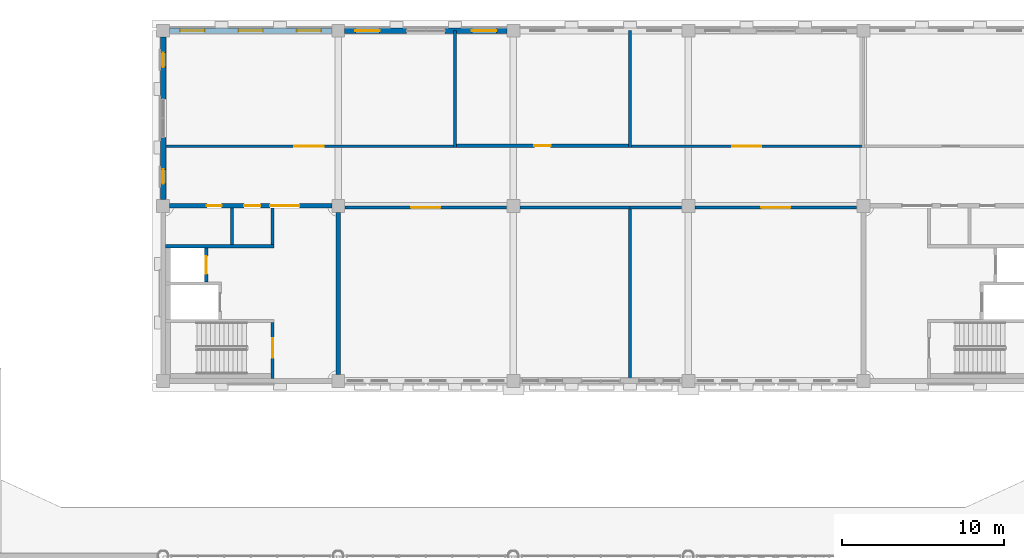
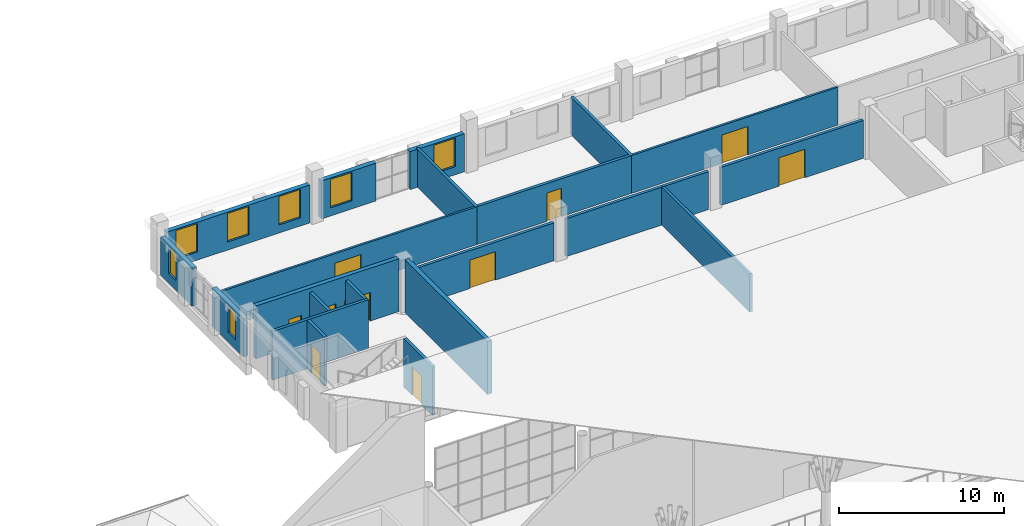
# One storey, part 45 of 56: 22 walls, 10 doors, 7 windows, 17 openings.
"""IFC4 building model written with IfcOpenShell, lengths in metres."""

from ifc_helpers import new_model, si_unit, direction, frame, frame_2d, origin, place, context, subcontext, project, spatial, rectangle, extrude, material, layer, layer_set, type_object, element, fill, save


model = new_model("IFC4")

# Units and contexts
model_context = context("Model", 3, precision=1e-05, world=origin(), true_north=direction((0.0, 1.0)))
body_context = subcontext(model_context, "Body", "Model", "MODEL_VIEW")
ifc_project = project(units=[si_unit("LENGTHUNIT", "METRE"), si_unit("AREAUNIT", "SQUARE_METRE"), si_unit("VOLUMEUNIT", "CUBIC_METRE"), si_unit("PLANEANGLEUNIT", "RADIAN"), si_unit("MASSUNIT", "GRAM", prefix="KILO")], contexts=[model_context])

# Site, building, storey
site_placement = place(None, origin())
site = spatial("IfcSite", under=ifc_project, at=site_placement, CompositionType="ELEMENT")
building_placement = place(site_placement, origin())
building = spatial("IfcBuilding", under=site, at=building_placement, Name="Magnolia Steps Interchange", CompositionType="ELEMENT")
storey_placement = place(building_placement, frame((0.0, 0.0, 8.699951171875)))
storey = spatial("IfcBuildingStorey", under=building, at=storey_placement, Name="L02", CompositionType="ELEMENT", Elevation=8.699951171875)

# Wall, opening, door
ifc_material_1 = material(Name="Concrete C35", Category="concrete")
ifc_layer_1 = layer(ifc_material_1, 0.199951171875)
ifc_layer_set_1 = layer_set([ifc_layer_1], Name="Core enclosure wall 200")
wall_type_1 = type_object("IfcWallType", Name="Core enclosure wall 200", PredefinedType="SOLIDWALL", material=ifc_layer_set_1)
wall_1_placement = place(storey_placement, frame((70.75, 96.550048828125, 0.0), z_axis=(0.0, 0.0, 1.0), x_axis=(0.0, 1.0, 0.0)))
wall_1 = element("IfcWall", 1, at=wall_1_placement, inside=storey, type_object=wall_type_1, Name="L02 OC-W enclosure wall", PredefinedType="SOLIDWALL", context=body_context, shape_type="SweptSolid", body=[
    extrude(rectangle(XDim=3.449951171875, YDim=0.199951171875, at=frame_2d((1.72509765625, 0.0))), origin(), (0.0, 0.0, 1.0), 3.60009765625),
])
opening_1_placement = place(wall_1_placement, frame((1.27490234375, 0.0, 0.0)))
opening_1 = element("IfcOpeningElement", 2, at=opening_1_placement, cuts=wall_1, Name="Opening D-OC-W-L02-1", PredefinedType="OPENING", context=body_context, shape_type="SweptSolid", body=[
    extrude(rectangle(XDim=1.199951171875, YDim=2.10009765625, at=frame_2d((0.60009765625, 1.050048828125))), frame((0.0, 0.10986328125, 0.0), z_axis=(0.0, -1.0, 0.0), x_axis=(1.0, 0.0, 0.0)), (0.0, 0.0, 1.0), 0.219970703125),
])
ifc_material_2 = material(Name="Painted steel", Category="steel")
door_type_1 = type_object("IfcDoorType", Name="Stair fire door 1200x2100", OperationType="NOTDEFINED", PredefinedType="DOOR", material=ifc_material_2)
door_1_placement = place(opening_1_placement, frame((1.199951171875, 0.0, 0.0), z_axis=(0.0, 0.0, 1.0), x_axis=(-1.0, 0.0, 0.0)))
door_1 = element("IfcDoor", 3, at=door_1_placement, inside=storey, type_object=door_type_1, Name="Stair door ST28 L02", OperationType="SINGLE_SWING_LEFT", OverallHeight=2.10009765625, OverallWidth=1.199951171875, PredefinedType="DOOR", context=body_context, shape_type="SweptSolid", body=[
    extrude(rectangle(XDim=1.199951171875, YDim=2.10009765625, at=frame_2d((0.60009765625, 1.050048828125))), frame((0.0, 0.02490234375, 0.0), z_axis=(0.0, -1.0, 0.0), x_axis=(1.0, 0.0, 0.0)), (0.0, 0.0, 1.0), 0.050048828125),
])
fill(opening_1, door_1)

wall_2_placement = place(storey_placement, frame((66.64990234375, 102.5, 0.0), z_axis=(0.0, 0.0, 1.0), x_axis=(0.0, 1.0, 0.0)))
wall_2 = element("IfcWall", 4, at=wall_2_placement, inside=storey, type_object=wall_type_1, Name="L02 OC-W enclosure wall", PredefinedType="SOLIDWALL", context=body_context, shape_type="SweptSolid", body=[
    extrude(rectangle(XDim=2.10009765625, YDim=0.199951171875, at=frame_2d((1.050048828125, 0.0))), origin(), (0.0, 0.0, 1.0), 3.60009765625),
])
opening_2_placement = place(wall_2_placement, frame((0.5, 0.0, 0.0)))
opening_2 = element("IfcOpeningElement", 5, at=opening_2_placement, cuts=wall_2, Name="Opening LD", PredefinedType="OPENING", context=body_context, shape_type="SweptSolid", body=[
    extrude(rectangle(XDim=1.10009765625, YDim=2.10009765625, at=frame_2d((0.550048828125, 1.050048828125))), frame((0.0, 0.10986328125, 0.0), z_axis=(0.0, -1.0, 0.0), x_axis=(1.0, 0.0, 0.0)), (0.0, 0.0, 1.0), 0.219970703125),
])
ifc_material_3 = material(Name="Stainless steel grade 304", Category="steel")
door_type_2 = type_object("IfcDoorType", Name="Lift landing door 1100x2100", OperationType="DOUBLE_DOOR_SLIDING", PredefinedType="DOOR", material=ifc_material_3)
door_2_placement = place(opening_2_placement, frame((1.10009765625, 0.0, 0.0), z_axis=(0.0, 0.0, 1.0), x_axis=(-1.0, 0.0, 0.0)))
door_2 = element("IfcDoor", 6, at=door_2_placement, inside=storey, type_object=door_type_2, Name="Lift landing door LF16 L02", OperationType="DOUBLE_DOOR_SLIDING", OverallHeight=2.10009765625, OverallWidth=1.10009765625, PredefinedType="DOOR", context=body_context, shape_type="SweptSolid", body=[
    extrude(rectangle(XDim=1.10009765625, YDim=2.10009765625, at=frame_2d((0.550048828125, 1.050048828125))), frame((0.0, 0.02490234375, 0.0), z_axis=(0.0, -1.0, 0.0), x_axis=(1.0, 0.0, 0.0)), (0.0, 0.0, 1.0), 0.050048828125),
])
fill(opening_2, door_2)

# Walls
wall_3_placement = place(storey_placement, frame((70.85009765625, 104.699951171875, 0.0), z_axis=(0.0, 0.0, 1.0), x_axis=(-1.0, 0.0, 0.0)))
element("IfcWall", 7, at=wall_3_placement, inside=storey, type_object=wall_type_1, Name="L02 OC-W enclosure wall", PredefinedType="SOLIDWALL", context=body_context, shape_type="SweptSolid", body=[
    extrude(rectangle(XDim=6.7001953125, YDim=0.199951171875, at=frame_2d((3.35009765625, 0.0))), origin(), (0.0, 0.0, 1.0), 3.60009765625),
])
wall_4_placement = place(storey_placement, frame((70.75, 104.800048828125, 0.0), z_axis=(0.0, 0.0, 1.0), x_axis=(0.0, 1.0, 0.0)))
element("IfcWall", 8, at=wall_4_placement, inside=storey, type_object=wall_type_1, Name="L02 OC-W enclosure wall", PredefinedType="SOLIDWALL", context=body_context, shape_type="SweptSolid", body=[
    extrude(rectangle(XDim=2.25, YDim=0.199951171875, at=frame_2d((1.125, 0.0))), origin(), (0.0, 0.0, 1.0), 3.60009765625),
])
ifc_material_4 = material(Name="Fair-faced blockwork", Category="masonry")
ifc_layer_2 = layer(ifc_material_4, 0.199951171875)
ifc_layer_set_2 = layer_set([ifc_layer_2], Name="Core partition 200")
wall_type_2 = type_object("IfcWallType", Name="Core partition 200", PredefinedType="PARTITIONING", material=ifc_layer_set_2)
wall_5_placement = place(storey_placement, frame((68.25, 104.800048828125, 0.0), z_axis=(0.0, 0.0, 1.0), x_axis=(0.0, 1.0, 0.0)))
element("IfcWall", 9, at=wall_5_placement, inside=storey, type_object=wall_type_2, Name="L02 OC-W toilet partition", PredefinedType="PARTITIONING", context=body_context, shape_type="SweptSolid", body=[
    extrude(rectangle(XDim=2.25, YDim=0.199951171875, at=frame_2d((1.125, 0.0))), origin(), (0.0, 0.0, 1.0), 3.60009765625),
])
ifc_material_5 = material(Name="Concrete C40", Category="concrete")
ifc_layer_3 = layer(ifc_material_5, 0.300048828125)
ifc_layer_set_3 = layer_set([ifc_layer_3], Name="Core wall 300")
wall_type_3 = type_object("IfcWallType", Name="Core wall 300", PredefinedType="SOLIDWALL", material=ifc_layer_set_3)
wall_6_placement = place(storey_placement, frame((74.800048828125, 96.800048828125, 0.0), z_axis=(0.0, 0.0, 1.0), x_axis=(0.0, 1.0, 0.0)))
element("IfcWall", 10, at=wall_6_placement, inside=storey, type_object=wall_type_3, Name="Core wall OC-W", PredefinedType="SOLIDWALL", context=body_context, shape_type="SweptSolid", body=[
    extrude(rectangle(XDim=10.0, YDim=0.300048828125, at=frame_2d((5.0, 0.0))), origin(), (0.0, 0.0, 1.0), 3.900146484375),
])

# Wall, openings, doors
wall_7_placement = place(storey_placement, frame((74.39990234375, 107.199951171875, 0.0), z_axis=(0.0, 0.0, 1.0), x_axis=(-1.0, 0.0, 0.0)))
wall_7 = element("IfcWall", 11, at=wall_7_placement, inside=storey, type_object=wall_type_3, Name="Core wall OC-W", PredefinedType="SOLIDWALL", context=body_context, shape_type="SweptSolid", body=[
    extrude(rectangle(XDim=10.0, YDim=0.300048828125, at=frame_2d((5.0, 0.0))), origin(), (0.0, 0.0, 1.0), 3.900146484375),
])
opening_3_placement = place(wall_7_placement, frame((2.0, 0.0, 0.0)))
opening_3 = element("IfcOpeningElement", 12, at=opening_3_placement, cuts=wall_7, Name="Opening D-OC-W-L02-2", PredefinedType="OPENING", context=body_context, shape_type="SweptSolid", body=[
    extrude(rectangle(XDim=1.800048828125, YDim=2.10009765625, at=frame_2d((0.89990234375, 1.050048828125))), frame((0.0, 0.159912109375, 0.0), z_axis=(0.0, -1.0, 0.0), x_axis=(1.0, 0.0, 0.0)), (0.0, 0.0, 1.0), 0.320068359375),
])
opening_4_placement = place(wall_7_placement, frame((4.39990234375, 0.0, 0.0)))
opening_4 = element("IfcOpeningElement", 13, at=opening_4_placement, cuts=wall_7, Name="Opening D-OC-W-L02-3", PredefinedType="OPENING", context=body_context, shape_type="SweptSolid", body=[
    extrude(rectangle(XDim=1.0, YDim=2.10009765625, at=frame_2d((0.5, 1.050048828125))), frame((0.0, 0.159912109375, 0.0), z_axis=(0.0, -1.0, 0.0), x_axis=(1.0, 0.0, 0.0)), (0.0, 0.0, 1.0), 0.320068359375),
])
opening_5_placement = place(wall_7_placement, frame((6.800048828125, 0.0, 0.0)))
opening_5 = element("IfcOpeningElement", 14, at=opening_5_placement, cuts=wall_7, Name="Opening D-OC-W-L02-4", PredefinedType="OPENING", context=body_context, shape_type="SweptSolid", body=[
    extrude(rectangle(XDim=0.89990234375, YDim=2.10009765625, at=frame_2d((0.449951171875, 1.050048828125))), frame((0.0, 0.159912109375, 0.0), z_axis=(0.0, -1.0, 0.0), x_axis=(1.0, 0.0, 0.0)), (0.0, 0.0, 1.0), 0.320068359375),
])
ifc_material_6 = material(Name="Timber", Category="wood")
door_type_3 = type_object("IfcDoorType", Name="Accessible toilet door 1000x2100", OperationType="NOTDEFINED", PredefinedType="DOOR", material=ifc_material_6)
door_3_placement = place(opening_4_placement, origin())
door_3 = element("IfcDoor", 15, at=door_3_placement, inside=storey, type_object=door_type_3, Name="Accessible Toilet door OC-W L02", OperationType="SINGLE_SWING_LEFT", OverallHeight=2.10009765625, OverallWidth=1.0, PredefinedType="DOOR", context=body_context, shape_type="SweptSolid", body=[
    extrude(rectangle(XDim=1.0, YDim=2.10009765625, at=frame_2d((0.5, 1.050048828125))), frame((0.0, 0.02490234375, 0.0), z_axis=(0.0, -1.0, 0.0), x_axis=(1.0, 0.0, 0.0)), (0.0, 0.0, 1.0), 0.050048828125),
])
fill(opening_4, door_3)
ifc_material_7 = material(Name="Timber and glass", Category="wood")
door_type_4 = type_object("IfcDoorType", Name="Core entrance door pair 1800x2100", OperationType="DOUBLE_DOOR_DOUBLE_SWING", PredefinedType="DOOR", material=ifc_material_7)
door_4_placement = place(opening_3_placement, frame((1.800048828125, 0.0, 0.0), z_axis=(0.0, 0.0, 1.0), x_axis=(-1.0, 0.0, 0.0)))
door_4 = element("IfcDoor", 16, at=door_4_placement, inside=storey, type_object=door_type_4, Name="Core entrance door OC-W L02", OperationType="DOUBLE_DOOR_DOUBLE_SWING", OverallHeight=2.10009765625, OverallWidth=1.800048828125, PredefinedType="DOOR", context=body_context, shape_type="SweptSolid", body=[
    extrude(rectangle(XDim=1.800048828125, YDim=2.10009765625, at=frame_2d((0.89990234375, 1.050048828125))), frame((0.0, 0.02490234375, 0.0), z_axis=(0.0, -1.0, 0.0), x_axis=(1.0, 0.0, 0.0)), (0.0, 0.0, 1.0), 0.050048828125),
])
fill(opening_3, door_4)
ifc_material_8 = material(Name="Timber", Category="wood")
door_type_5 = type_object("IfcDoorType", Name="Toilet door 900x2100", OperationType="NOTDEFINED", PredefinedType="DOOR", material=ifc_material_8)
door_5_placement = place(opening_5_placement, origin())
door_5 = element("IfcDoor", 17, at=door_5_placement, inside=storey, type_object=door_type_5, Name="Public Toilets door OC-W L02", OperationType="SINGLE_SWING_RIGHT", OverallHeight=2.10009765625, OverallWidth=0.89990234375, PredefinedType="DOOR", context=body_context, shape_type="SweptSolid", body=[
    extrude(rectangle(XDim=0.89990234375, YDim=2.10009765625, at=frame_2d((0.449951171875, 1.050048828125))), frame((0.0, 0.02490234375, 0.0), z_axis=(0.0, -1.0, 0.0), x_axis=(1.0, 0.0, 0.0)), (0.0, 0.0, 1.0), 0.050048828125),
])
fill(opening_5, door_5)

# Wall
ifc_material_9 = material(Name="Fair-faced blockwork", Category="masonry")
ifc_layer_4 = layer(ifc_material_9, 0.199951171875)
ifc_layer_set_4 = layer_set([ifc_layer_4], Name="Fire partition wall 200")
wall_type_4 = type_object("IfcWallType", Name="Fire partition wall 200", PredefinedType="PARTITIONING", material=ifc_layer_set_4)
wall_8_placement = place(storey_placement, frame((86.02001953125, 107.10009765625, 0.0), z_axis=(0.0, 0.0, 1.0), x_axis=(1.0, 0.0, 0.0)))
element("IfcWall", 18, at=wall_8_placement, inside=storey, type_object=wall_type_4, Name="L02 partition 10", PredefinedType="PARTITIONING", context=body_context, shape_type="SweptSolid", body=[
    extrude(rectangle(XDim=6.780029296875, YDim=0.199951171875, at=frame_2d((3.39013671875, 0.0))), origin(), (0.0, 0.0, 1.0), 2.800048828125),
])

# Wall, opening, door
wall_9_placement = place(storey_placement, frame((75.219970703125, 107.10009765625, 0.0), z_axis=(0.0, 0.0, 1.0), x_axis=(1.0, 0.0, 0.0)))
wall_9 = element("IfcWall", 19, at=wall_9_placement, inside=storey, type_object=wall_type_4, Name="L02 partition 11", PredefinedType="PARTITIONING", context=body_context, shape_type="SweptSolid", body=[
    extrude(rectangle(XDim=9.9599609375, YDim=0.199951171875, at=frame_2d((4.97998046875, 0.0))), origin(), (0.0, 0.0, 1.0), 2.800048828125),
])
opening_6_placement = place(wall_9_placement, frame((4.080078125, 0.0, 0.0)))
opening_6 = element("IfcOpeningElement", 20, at=opening_6_placement, cuts=wall_9, Name="Opening D-L02-6", PredefinedType="OPENING", context=body_context, shape_type="SweptSolid", body=[
    extrude(rectangle(XDim=1.800048828125, YDim=2.10009765625, at=frame_2d((0.89990234375, 1.050048828125))), frame((0.0, 0.10986328125, 0.0), z_axis=(0.0, -1.0, 0.0), x_axis=(1.0, 0.0, 0.0)), (0.0, 0.0, 1.0), 0.219970703125),
])
ifc_material_10 = material(Name="Painted steel", Category="steel")
door_type_6 = type_object("IfcDoorType", Name="Plant room door pair 1800x2100", OperationType="DOUBLE_DOOR_DOUBLE_SWING", PredefinedType="DOOR", material=ifc_material_10)
door_6_placement = place(opening_6_placement, frame((1.800048828125, 0.0, 0.0), z_axis=(0.0, 0.0, 1.0), x_axis=(-1.0, 0.0, 0.0)))
door_6 = element("IfcDoor", 21, at=door_6_placement, inside=storey, type_object=door_type_6, Name="Bus Dispatch Control Room door", OperationType="DOUBLE_DOOR_DOUBLE_SWING", OverallHeight=2.10009765625, OverallWidth=1.800048828125, PredefinedType="DOOR", context=body_context, shape_type="SweptSolid", body=[
    extrude(rectangle(XDim=1.800048828125, YDim=2.10009765625, at=frame_2d((0.89990234375, 1.050048828125))), frame((0.0, 0.02490234375, 0.0), z_axis=(0.0, -1.0, 0.0), x_axis=(1.0, 0.0, 0.0)), (0.0, 0.0, 1.0), 0.050048828125),
])
fill(opening_6, door_6)

wall_10_placement = place(storey_placement, frame((82.0, 110.89990234375, 0.0), z_axis=(0.0, 0.0, 1.0), x_axis=(1.0, 0.0, 0.0)))
wall_10 = element("IfcWall", 22, at=wall_10_placement, inside=storey, type_object=wall_type_4, Name="L02 partition 13", PredefinedType="PARTITIONING", context=body_context, shape_type="SweptSolid", body=[
    extrude(rectangle(XDim=10.800048828125, YDim=0.199951171875, at=frame_2d((5.39990234375, 0.0))), origin(), (0.0, 0.0, 1.0), 2.800048828125),
])
opening_7_placement = place(wall_10_placement, frame((4.89990234375, 0.0, 0.0)))
opening_7 = element("IfcOpeningElement", 23, at=opening_7_placement, cuts=wall_10, Name="Opening D-L02-9", PredefinedType="OPENING", context=body_context, shape_type="SweptSolid", body=[
    extrude(rectangle(XDim=1.0, YDim=2.10009765625, at=frame_2d((0.5, 1.050048828125))), frame((0.0, 0.10986328125, 0.0), z_axis=(0.0, -1.0, 0.0), x_axis=(1.0, 0.0, 0.0)), (0.0, 0.0, 1.0), 0.219970703125),
])
ifc_material_11 = material(Name="Painted steel", Category="steel")
door_type_7 = type_object("IfcDoorType", Name="Plant room door 1000x2100", OperationType="NOTDEFINED", PredefinedType="DOOR", material=ifc_material_11)
door_7_placement = place(opening_7_placement, origin())
door_7 = element("IfcDoor", 24, at=door_7_placement, inside=storey, type_object=door_type_7, Name="Server Room door", OperationType="SINGLE_SWING_RIGHT", OverallHeight=2.10009765625, OverallWidth=1.0, PredefinedType="DOOR", context=body_context, shape_type="SweptSolid", body=[
    extrude(rectangle(XDim=1.0, YDim=2.10009765625, at=frame_2d((0.5, 1.050048828125))), frame((0.0, 0.02490234375, 0.0), z_axis=(0.0, -1.0, 0.0), x_axis=(1.0, 0.0, 0.0)), (0.0, 0.0, 1.0), 0.050048828125),
])
fill(opening_7, door_7)

wall_11_placement = place(storey_placement, frame((96.820068359375, 107.10009765625, 0.0), z_axis=(0.0, 0.0, 1.0), x_axis=(1.0, 0.0, 0.0)))
wall_11 = element("IfcWall", 25, at=wall_11_placement, inside=storey, type_object=wall_type_4, Name="L02 partition 14", PredefinedType="PARTITIONING", context=body_context, shape_type="SweptSolid", body=[
    extrude(rectangle(XDim=9.9599609375, YDim=0.199951171875, at=frame_2d((4.97998046875, 0.0))), origin(), (0.0, 0.0, 1.0), 2.800048828125),
])
opening_8_placement = place(wall_11_placement, frame((4.080078125, 0.0, 0.0)))
opening_8 = element("IfcOpeningElement", 26, at=opening_8_placement, cuts=wall_11, Name="Opening D-L02-7", PredefinedType="OPENING", context=body_context, shape_type="SweptSolid", body=[
    extrude(rectangle(XDim=1.800048828125, YDim=2.10009765625, at=frame_2d((0.89990234375, 1.050048828125))), frame((0.0, 0.10986328125, 0.0), z_axis=(0.0, -1.0, 0.0), x_axis=(1.0, 0.0, 0.0)), (0.0, 0.0, 1.0), 0.219970703125),
])
door_8_placement = place(opening_8_placement, frame((1.800048828125, 0.0, 0.0), z_axis=(0.0, 0.0, 1.0), x_axis=(-1.0, 0.0, 0.0)))
door_8 = element("IfcDoor", 27, at=door_8_placement, inside=storey, type_object=door_type_6, Name="Metro Operations Control Room door", OperationType="DOUBLE_DOOR_DOUBLE_SWING", OverallHeight=2.10009765625, OverallWidth=1.800048828125, PredefinedType="DOOR", context=body_context, shape_type="SweptSolid", body=[
    extrude(rectangle(XDim=1.800048828125, YDim=2.10009765625, at=frame_2d((0.89990234375, 1.050048828125))), frame((0.0, 0.02490234375, 0.0), z_axis=(0.0, -1.0, 0.0), x_axis=(1.0, 0.0, 0.0)), (0.0, 0.0, 1.0), 0.050048828125),
])
fill(opening_8, door_8)

# Walls
wall_12_placement = place(storey_placement, frame((92.800048828125, 107.10009765625, 0.0), z_axis=(0.0, 0.0, 1.0), x_axis=(1.0, 0.0, 0.0)))
element("IfcWall", 28, at=wall_12_placement, inside=storey, type_object=wall_type_4, Name="L02 partition 15", PredefinedType="PARTITIONING", context=body_context, shape_type="SweptSolid", body=[
    extrude(rectangle(XDim=3.179931640625, YDim=0.199951171875, at=frame_2d((1.58984375, 0.0))), origin(), (0.0, 0.0, 1.0), 2.800048828125),
])
wall_13_placement = place(storey_placement, frame((92.800048828125, 96.39990234375, 0.0), z_axis=(0.0, 0.0, 1.0), x_axis=(0.0, 1.0, 0.0)))
element("IfcWall", 29, at=wall_13_placement, inside=storey, type_object=wall_type_4, Name="L02 partition 18", PredefinedType="PARTITIONING", context=body_context, shape_type="SweptSolid", body=[
    extrude(rectangle(XDim=10.800048828125, YDim=0.199951171875, at=frame_2d((5.39990234375, 0.0))), origin(), (0.0, 0.0, 1.0), 2.800048828125),
])
for number, where, z_axis, x_axis, name in (
    (30, (82.0, 110.800048828125, 0.0), (0.0, 0.0, 1.0), (0.0, 1.0, 0.0), "L02 partition 19"),
    (31, (92.800048828125, 110.800048828125, 0.0), (0.0, 0.0, 1.0), (0.0, 1.0, 0.0), "L02 partition 20"),
):
    element("IfcWall", number, at=place(storey_placement, frame(where, z_axis=z_axis, x_axis=x_axis)), inside=storey, type_object=wall_type_4, Name=name, PredefinedType="PARTITIONING", context=body_context, shape_type="SweptSolid", body=[
        extrude(rectangle(XDim=7.199951171875, YDim=0.199951171875, at=frame_2d((3.60009765625, 0.0))), origin(), (0.0, 0.0, 1.0), 2.800048828125),
    ])

# Wall, openings, windows
ifc_material_12 = material(Name="Lime render on masonry", Category="masonry")
ifc_layer_5 = layer(ifc_material_12, 0.324951171875)
ifc_layer_set_5 = layer_set([ifc_layer_5], Name="Lime render wall 325")
wall_type_5 = type_object("IfcWallType", Name="Lime render wall 325", PredefinedType="SOLIDWALL", material=ifc_layer_set_5)
wall_14_placement = place(storey_placement, frame((64.39990234375, 118.0, 0.0), z_axis=(0.0, 0.0, 1.0), x_axis=(1.0, 0.0, 0.0)))
wall_14 = element("IfcWall", 32, at=wall_14_placement, inside=storey, type_object=wall_type_5, Name="Operations building north wall L02 pier 1", PredefinedType="SOLIDWALL", context=body_context, shape_type="SweptSolid", body=[
    extrude(rectangle(XDim=10.0, YDim=0.324951171875, at=frame_2d((5.0, 0.0))), origin(), (0.0, 0.0, 1.0), 2.800048828125),
])
opening_9_placement = place(wall_14_placement, frame((0.64990234375, 0.0, 0.60009765625)))
opening_9 = element("IfcOpeningElement", 33, at=opening_9_placement, cuts=wall_14, Name="Opening WN8", PredefinedType="OPENING", context=body_context, shape_type="SweptSolid", body=[
    extrude(rectangle(XDim=1.5, YDim=2.10009765625, at=frame_2d((0.75, 1.050048828125))), frame((0.0, 0.17236328125, 0.0), z_axis=(0.0, -1.0, 0.0), x_axis=(1.0, 0.0, 0.0)), (0.0, 0.0, 1.0), 0.344970703125),
])
opening_10_placement = place(wall_14_placement, frame((4.25, 0.0, 0.60009765625)))
opening_10 = element("IfcOpeningElement", 34, at=opening_10_placement, cuts=wall_14, Name="Opening WN8", PredefinedType="OPENING", context=body_context, shape_type="SweptSolid", body=[
    extrude(rectangle(XDim=1.5, YDim=2.10009765625, at=frame_2d((0.75, 1.050048828125))), frame((0.0, 0.17236328125, 0.0), z_axis=(0.0, -1.0, 0.0), x_axis=(1.0, 0.0, 0.0)), (0.0, 0.0, 1.0), 0.344970703125),
])
opening_11_placement = place(wall_14_placement, frame((7.85009765625, 0.0, 0.60009765625)))
opening_11 = element("IfcOpeningElement", 35, at=opening_11_placement, cuts=wall_14, Name="Opening WN8", PredefinedType="OPENING", context=body_context, shape_type="SweptSolid", body=[
    extrude(rectangle(XDim=1.5, YDim=2.10009765625, at=frame_2d((0.75, 1.050048828125))), frame((0.0, 0.17236328125, 0.0), z_axis=(0.0, -1.0, 0.0), x_axis=(1.0, 0.0, 0.0)), (0.0, 0.0, 1.0), 0.344970703125),
])
ifc_material_13 = material(Name="Timber frame with double glazing", Category="wood")
window_type_1 = type_object("IfcWindowType", Name="Piano nobile window 1500 x 2100", PartitioningType="DOUBLE_PANEL_VERTICAL", PredefinedType="WINDOW", material=ifc_material_13)
window_1_placement = place(opening_9_placement, origin())
window_1 = element("IfcWindow", 36, at=window_1_placement, inside=storey, type_object=window_type_1, Name="Window L02 north 1", OverallHeight=2.10009765625, OverallWidth=1.5, PartitioningType="SINGLE_PANEL", PredefinedType="WINDOW", context=body_context, shape_type="SweptSolid", body=[
    extrude(rectangle(XDim=1.5, YDim=2.10009765625, at=frame_2d((0.75, 1.050048828125))), frame((0.0, 0.030029296875, 0.0), z_axis=(0.0, -1.0, 0.0), x_axis=(1.0, 0.0, 0.0)), (0.0, 0.0, 1.0), 0.06005859375),
])
fill(opening_9, window_1)
window_2_placement = place(opening_10_placement, origin())
window_2 = element("IfcWindow", 37, at=window_2_placement, inside=storey, type_object=window_type_1, Name="Window L02 north 2", OverallHeight=2.10009765625, OverallWidth=1.5, PartitioningType="SINGLE_PANEL", PredefinedType="WINDOW", context=body_context, shape_type="SweptSolid", body=[
    extrude(rectangle(XDim=1.5, YDim=2.10009765625, at=frame_2d((0.75, 1.050048828125))), frame((0.0, 0.030029296875, 0.0), z_axis=(0.0, -1.0, 0.0), x_axis=(1.0, 0.0, 0.0)), (0.0, 0.0, 1.0), 0.06005859375),
])
fill(opening_10, window_2)
window_3_placement = place(opening_11_placement, origin())
window_3 = element("IfcWindow", 38, at=window_3_placement, inside=storey, type_object=window_type_1, Name="Window L02 north 3", OverallHeight=2.10009765625, OverallWidth=1.5, PartitioningType="SINGLE_PANEL", PredefinedType="WINDOW", context=body_context, shape_type="SweptSolid", body=[
    extrude(rectangle(XDim=1.5, YDim=2.10009765625, at=frame_2d((0.75, 1.050048828125))), frame((0.0, 0.030029296875, 0.0), z_axis=(0.0, -1.0, 0.0), x_axis=(1.0, 0.0, 0.0)), (0.0, 0.0, 1.0), 0.06005859375),
])
fill(opening_11, window_3)

# Wall, opening, window
wall_15_placement = place(storey_placement, frame((75.199951171875, 118.0, 0.0), z_axis=(0.0, 0.0, 1.0), x_axis=(1.0, 0.0, 0.0)))
wall_15 = element("IfcWall", 39, at=wall_15_placement, inside=storey, type_object=wall_type_5, Name="Operations building north wall L02 pier 1", PredefinedType="SOLIDWALL", context=body_context, shape_type="SweptSolid", body=[
    extrude(rectangle(XDim=3.800048828125, YDim=0.324951171875, at=frame_2d((1.89990234375, 0.0))), origin(), (0.0, 0.0, 1.0), 2.800048828125),
])
opening_12_placement = place(wall_15_placement, frame((0.64990234375, 0.0, 0.60009765625)))
opening_12 = element("IfcOpeningElement", 40, at=opening_12_placement, cuts=wall_15, Name="Opening WN8", PredefinedType="OPENING", context=body_context, shape_type="SweptSolid", body=[
    extrude(rectangle(XDim=1.5, YDim=2.10009765625, at=frame_2d((0.75, 1.050048828125))), frame((0.0, 0.17236328125, 0.0), z_axis=(0.0, -1.0, 0.0), x_axis=(1.0, 0.0, 0.0)), (0.0, 0.0, 1.0), 0.344970703125),
])
window_4_placement = place(opening_12_placement, origin())
window_4 = element("IfcWindow", 41, at=window_4_placement, inside=storey, type_object=window_type_1, Name="Window L02 north 4", OverallHeight=2.10009765625, OverallWidth=1.5, PartitioningType="SINGLE_PANEL", PredefinedType="WINDOW", context=body_context, shape_type="SweptSolid", body=[
    extrude(rectangle(XDim=1.5, YDim=2.10009765625, at=frame_2d((0.75, 1.050048828125))), frame((0.0, 0.030029296875, 0.0), z_axis=(0.0, -1.0, 0.0), x_axis=(1.0, 0.0, 0.0)), (0.0, 0.0, 1.0), 0.06005859375),
])
fill(opening_12, window_4)

wall_16_placement = place(storey_placement, frame((81.39990234375, 118.0, 0.0), z_axis=(0.0, 0.0, 1.0), x_axis=(1.0, 0.0, 0.0)))
wall_16 = element("IfcWall", 42, at=wall_16_placement, inside=storey, type_object=wall_type_5, Name="Operations building north wall L02 pier 3", PredefinedType="SOLIDWALL", context=body_context, shape_type="SweptSolid", body=[
    extrude(rectangle(XDim=3.800048828125, YDim=0.324951171875, at=frame_2d((1.89990234375, 0.0))), origin(), (0.0, 0.0, 1.0), 2.800048828125),
])
opening_13_placement = place(wall_16_placement, frame((1.64990234375, 0.0, 0.60009765625)))
opening_13 = element("IfcOpeningElement", 43, at=opening_13_placement, cuts=wall_16, Name="Opening WN8", PredefinedType="OPENING", context=body_context, shape_type="SweptSolid", body=[
    extrude(rectangle(XDim=1.5, YDim=2.10009765625, at=frame_2d((0.75, 1.050048828125))), frame((0.0, 0.17236328125, 0.0), z_axis=(0.0, -1.0, 0.0), x_axis=(1.0, 0.0, 0.0)), (0.0, 0.0, 1.0), 0.344970703125),
])
window_5_placement = place(opening_13_placement, origin())
window_5 = element("IfcWindow", 44, at=window_5_placement, inside=storey, type_object=window_type_1, Name="Window L02 north 6", OverallHeight=2.10009765625, OverallWidth=1.5, PartitioningType="SINGLE_PANEL", PredefinedType="WINDOW", context=body_context, shape_type="SweptSolid", body=[
    extrude(rectangle(XDim=1.5, YDim=2.10009765625, at=frame_2d((0.75, 1.050048828125))), frame((0.0, 0.030029296875, 0.0), z_axis=(0.0, -1.0, 0.0), x_axis=(1.0, 0.0, 0.0)), (0.0, 0.0, 1.0), 0.06005859375),
])
fill(opening_13, window_5)

wall_17_placement = place(storey_placement, frame((64.0, 107.60009765625, 0.0), z_axis=(0.0, 0.0, 1.0), x_axis=(0.0, 1.0, 0.0)))
wall_17 = element("IfcWall", 45, at=wall_17_placement, inside=storey, type_object=wall_type_5, Name="Operations building west wall L02 pier 1", PredefinedType="SOLIDWALL", context=body_context, shape_type="SweptSolid", body=[
    extrude(rectangle(XDim=3.7998046875, YDim=0.324951171875, at=frame_2d((1.89990234375, 0.0))), origin(), (0.0, 0.0, 1.0), 2.800048828125),
])
opening_14_placement = place(wall_17_placement, frame((0.949951171875, 0.0, 0.699951171875)))
opening_14 = element("IfcOpeningElement", 46, at=opening_14_placement, cuts=wall_17, Name="Opening WN10", PredefinedType="OPENING", context=body_context, shape_type="SweptSolid", body=[
    extrude(rectangle(XDim=0.89990234375, YDim=2.0, at=frame_2d((0.449951171875, 1.0))), frame((0.0, 0.17236328125, 0.0), z_axis=(0.0, -1.0, 0.0), x_axis=(1.0, 0.0, 0.0)), (0.0, 0.0, 1.0), 0.344970703125),
])
ifc_material_14 = material(Name="Timber frame with double glazing", Category="wood")
window_type_2 = type_object("IfcWindowType", Name="Gable end window 900 x 2000", PartitioningType="SINGLE_PANEL", PredefinedType="WINDOW", material=ifc_material_14)
window_6_placement = place(opening_14_placement, origin())
window_6 = element("IfcWindow", 47, at=window_6_placement, inside=storey, type_object=window_type_2, Name="Window L02 west 1", OverallHeight=2.0, OverallWidth=0.89990234375, PartitioningType="SINGLE_PANEL", PredefinedType="WINDOW", context=body_context, shape_type="SweptSolid", body=[
    extrude(rectangle(XDim=0.89990234375, YDim=2.0, at=frame_2d((0.449951171875, 1.0))), frame((0.0, 0.030029296875, 0.0), z_axis=(0.0, -1.0, 0.0), x_axis=(1.0, 0.0, 0.0)), (0.0, 0.0, 1.0), 0.06005859375),
])
fill(opening_14, window_6)

wall_18_placement = place(storey_placement, frame((64.0, 113.800048828125, 0.0), z_axis=(0.0, 0.0, 1.0), x_axis=(0.0, 1.0, 0.0)))
wall_18 = element("IfcWall", 48, at=wall_18_placement, inside=storey, type_object=wall_type_5, Name="Operations building west wall L02 pier 3", PredefinedType="SOLIDWALL", context=body_context, shape_type="SweptSolid", body=[
    extrude(rectangle(XDim=3.800048828125, YDim=0.324951171875, at=frame_2d((1.89990234375, 0.0))), origin(), (0.0, 0.0, 1.0), 2.800048828125),
])
opening_15_placement = place(wall_18_placement, frame((1.949951171875, 0.0, 0.699951171875)))
opening_15 = element("IfcOpeningElement", 49, at=opening_15_placement, cuts=wall_18, Name="Opening WN10", PredefinedType="OPENING", context=body_context, shape_type="SweptSolid", body=[
    extrude(rectangle(XDim=0.89990234375, YDim=2.0, at=frame_2d((0.449951171875, 1.0))), frame((0.0, 0.17236328125, 0.0), z_axis=(0.0, -1.0, 0.0), x_axis=(1.0, 0.0, 0.0)), (0.0, 0.0, 1.0), 0.344970703125),
])
window_7_placement = place(opening_15_placement, origin())
window_7 = element("IfcWindow", 50, at=window_7_placement, inside=storey, type_object=window_type_2, Name="Window L02 west 3", OverallHeight=2.0, OverallWidth=0.89990234375, PartitioningType="SINGLE_PANEL", PredefinedType="WINDOW", context=body_context, shape_type="SweptSolid", body=[
    extrude(rectangle(XDim=0.89990234375, YDim=2.0, at=frame_2d((0.449951171875, 1.0))), frame((0.0, 0.030029296875, 0.0), z_axis=(0.0, -1.0, 0.0), x_axis=(1.0, 0.0, 0.0)), (0.0, 0.0, 1.0), 0.06005859375),
])
fill(opening_15, window_7)

# Wall, opening, door
ifc_material_15 = material(Name="Fair-faced blockwork", Category="masonry")
ifc_layer_6 = layer(ifc_material_15, 0.14990234375)
ifc_layer_set_6 = layer_set([ifc_layer_6], Name="Partition wall 150")
wall_type_6 = type_object("IfcWallType", Name="Partition wall 150", PredefinedType="PARTITIONING", material=ifc_layer_set_6)
wall_19_placement = place(storey_placement, frame((64.0, 110.875, 0.0), z_axis=(0.0, 0.0, 1.0), x_axis=(1.0, 0.0, 0.0)))
wall_19 = element("IfcWall", 51, at=wall_19_placement, inside=storey, type_object=wall_type_6, Name="L02 partition 12", PredefinedType="PARTITIONING", context=body_context, shape_type="SweptSolid", body=[
    extrude(rectangle(XDim=18.0, YDim=0.14990234375, at=frame_2d((9.0, 0.0))), origin(), (0.0, 0.0, 1.0), 2.800048828125),
])
opening_16_placement = place(wall_19_placement, frame((8.10009765625, 0.0, 0.0)))
opening_16 = element("IfcOpeningElement", 52, at=opening_16_placement, cuts=wall_19, Name="Opening D-L02-8", PredefinedType="OPENING", context=body_context, shape_type="SweptSolid", body=[
    extrude(rectangle(XDim=1.800048828125, YDim=2.10009765625, at=frame_2d((0.89990234375, 1.050048828125))), frame((0.0, 0.0849609375, 0.0), z_axis=(0.0, -1.0, 0.0), x_axis=(1.0, 0.0, 0.0)), (0.0, 0.0, 1.0), 0.169921875),
])
ifc_material_16 = material(Name="Timber", Category="wood")
door_type_8 = type_object("IfcDoorType", Name="Room door pair 1800x2100", OperationType="DOUBLE_DOOR_DOUBLE_SWING", PredefinedType="DOOR", material=ifc_material_16)
door_9_placement = place(opening_16_placement, origin())
door_9 = element("IfcDoor", 53, at=door_9_placement, inside=storey, type_object=door_type_8, Name="Control Room Support Office door", OperationType="DOUBLE_DOOR_DOUBLE_SWING", OverallHeight=2.10009765625, OverallWidth=1.800048828125, PredefinedType="DOOR", context=body_context, shape_type="SweptSolid", body=[
    extrude(rectangle(XDim=1.800048828125, YDim=2.10009765625, at=frame_2d((0.89990234375, 1.050048828125))), frame((0.0, 0.02490234375, 0.0), z_axis=(0.0, -1.0, 0.0), x_axis=(1.0, 0.0, 0.0)), (0.0, 0.0, 1.0), 0.050048828125),
])
fill(opening_16, door_9)

wall_20_placement = place(storey_placement, frame((92.800048828125, 110.875, 0.0), z_axis=(0.0, 0.0, 1.0), x_axis=(1.0, 0.0, 0.0)))
wall_20 = element("IfcWall", 54, at=wall_20_placement, inside=storey, type_object=wall_type_6, Name="L02 partition 16", PredefinedType="PARTITIONING", context=body_context, shape_type="SweptSolid", body=[
    extrude(rectangle(XDim=14.39990234375, YDim=0.14990234375, at=frame_2d((7.199951171875, 0.0))), origin(), (0.0, 0.0, 1.0), 2.800048828125),
])
opening_17_placement = place(wall_20_placement, frame((6.300048828125, 0.0, 0.0)))
opening_17 = element("IfcOpeningElement", 55, at=opening_17_placement, cuts=wall_20, Name="Opening D-L02-10", PredefinedType="OPENING", context=body_context, shape_type="SweptSolid", body=[
    extrude(rectangle(XDim=1.800048828125, YDim=2.10009765625, at=frame_2d((0.89990234375, 1.050048828125))), frame((0.0, 0.0849609375, 0.0), z_axis=(0.0, -1.0, 0.0), x_axis=(1.0, 0.0, 0.0)), (0.0, 0.0, 1.0), 0.169921875),
])
door_10_placement = place(opening_17_placement, frame((1.800048828125, 0.0, 0.0), z_axis=(0.0, 0.0, 1.0), x_axis=(-1.0, 0.0, 0.0)))
door_10 = element("IfcDoor", 56, at=door_10_placement, inside=storey, type_object=door_type_8, Name="Briefing Room door", OperationType="DOUBLE_DOOR_DOUBLE_SWING", OverallHeight=2.10009765625, OverallWidth=1.800048828125, PredefinedType="DOOR", context=body_context, shape_type="SweptSolid", body=[
    extrude(rectangle(XDim=1.800048828125, YDim=2.10009765625, at=frame_2d((0.89990234375, 1.050048828125))), frame((0.0, 0.02490234375, 0.0), z_axis=(0.0, -1.0, 0.0), x_axis=(1.0, 0.0, 0.0)), (0.0, 0.0, 1.0), 0.050048828125),
])
fill(opening_17, door_10)

save(model, "model.ifc")
